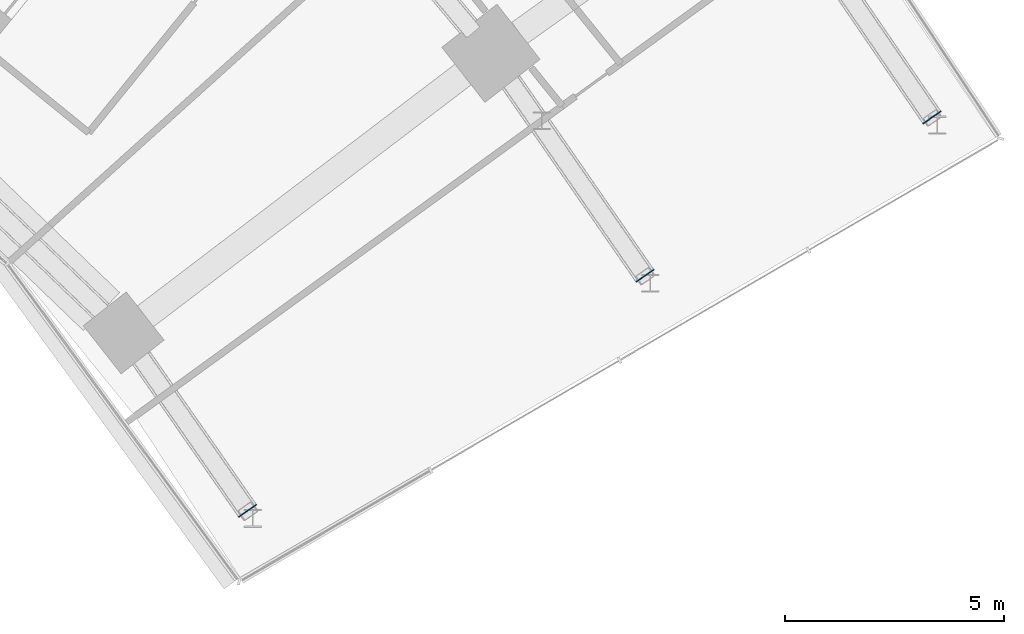
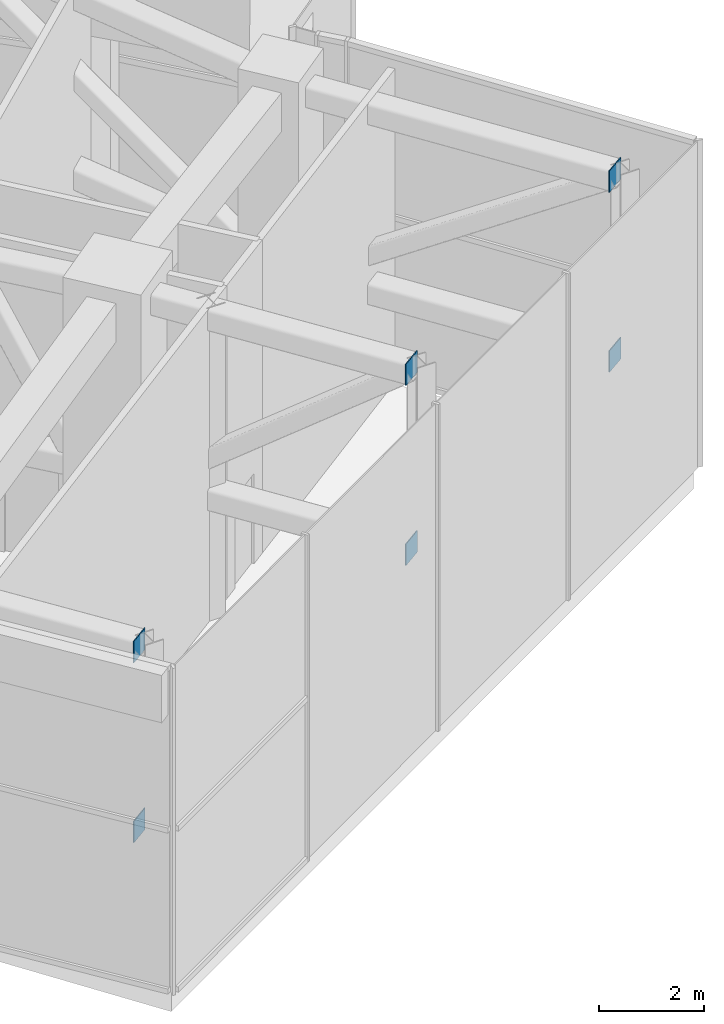
# One storey, part 23 of 33: 6 plates.
"""IFC4 building model written with IfcOpenShell, lengths in metres."""

from ifc_helpers import new_model, si_unit, direction, frame, origin, origin_2d, place, context, subcontext, project, spatial, rectangle, extrude, material, layer, layer_set, type_object, element, save


model = new_model("IFC4")

# Units and contexts
model_context = context("Model", 3, precision=1e-05, world=origin(), true_north=direction((0.0, 1.0)))
body_context = subcontext(model_context, "Body", "Model", "MODEL_VIEW")
ifc_project = project(units=[si_unit("LENGTHUNIT", "METRE"), si_unit("AREAUNIT", "SQUARE_METRE"), si_unit("VOLUMEUNIT", "CUBIC_METRE"), si_unit("PLANEANGLEUNIT", "RADIAN"), si_unit("MASSUNIT", "GRAM", prefix="KILO")], contexts=[model_context])

# Site, building, storey
site_placement = place(None, origin())
site = spatial("IfcSite", under=ifc_project, at=site_placement, CompositionType="ELEMENT")
building_placement = place(site_placement, origin())
building = spatial("IfcBuilding", under=site, at=building_placement, Name="Stone Belt Terrace Tower", CompositionType="ELEMENT")
storey_placement = place(building_placement, frame((0.0, 0.0, 79.39990234375)))
storey = spatial("IfcBuildingStorey", under=building, at=storey_placement, Name="L19", CompositionType="ELEMENT", Elevation=79.39990234375)

# Plates
ifc_material = material(Name="Structural steel C345", Category="steel")
ifc_layer = layer(ifc_material, 0.02001953125)
ifc_layer_set = layer_set([ifc_layer], Name="Chord end plate 20")
plate_type = type_object("IfcPlateType", Name="Chord end plate 20", PredefinedType="SHEET", material=ifc_layer_set)
for number, where, z_axis, x_axis, name in (
    (1, (37.76708984375, 23.408447265625, 6.780029296875), (0.0, 0.0, 1.0), (0.571465745254, -0.820625920869, 0.0), "Chord end plate"),
    (2, (37.76708984375, 23.408447265625, 2.60009765625), (0.0, 0.0, 1.0), (0.571465745254, -0.820625920869, 0.0), "Chord end plate"),
    (3, (46.8525390625, 28.7841796875, 6.780029296875), (0.0, 0.0, 1.0), (0.568968106696, -0.822359588965, 0.0), "Chord end plate"),
    (4, (46.8525390625, 28.7841796875, 2.60009765625), (0.0, 0.0, 1.0), (0.568968106696, -0.822359588965, 0.0), "Chord end plate"),
    (5, (53.417236328125, 32.4033203125, 6.780029296875), (0.0, 0.0, 1.0), (0.564696235208, -0.825298831904, 0.0), "Chord end plate"),
    (6, (53.417236328125, 32.4033203125, 2.60009765625), (0.0, 0.0, 1.0), (0.564696235208, -0.825298831904, 0.0), "Chord end plate"),
):
    element("IfcPlate", number, at=place(storey_placement, frame(where, z_axis=z_axis, x_axis=x_axis)), inside=storey, type_object=plate_type, Name=name, PredefinedType="SHEET", context=body_context, shape_type="SweptSolid", body=[
        extrude(rectangle(XDim=0.02001953125, YDim=0.5, at=origin_2d()), origin(), (0.0, 0.0, 1.0), 0.5),
    ])

save(model, "model.ifc")
